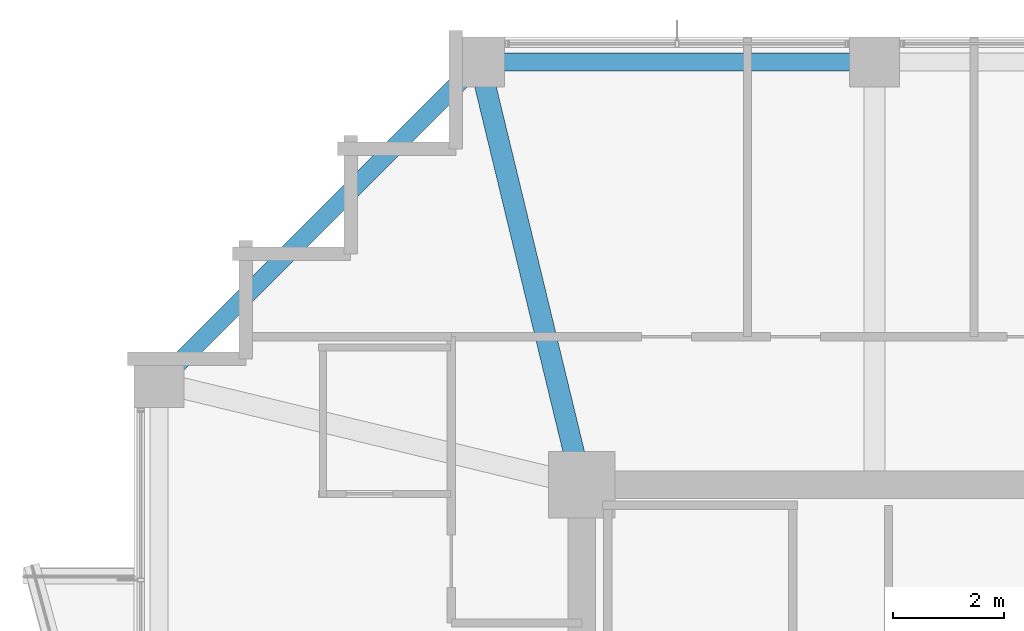
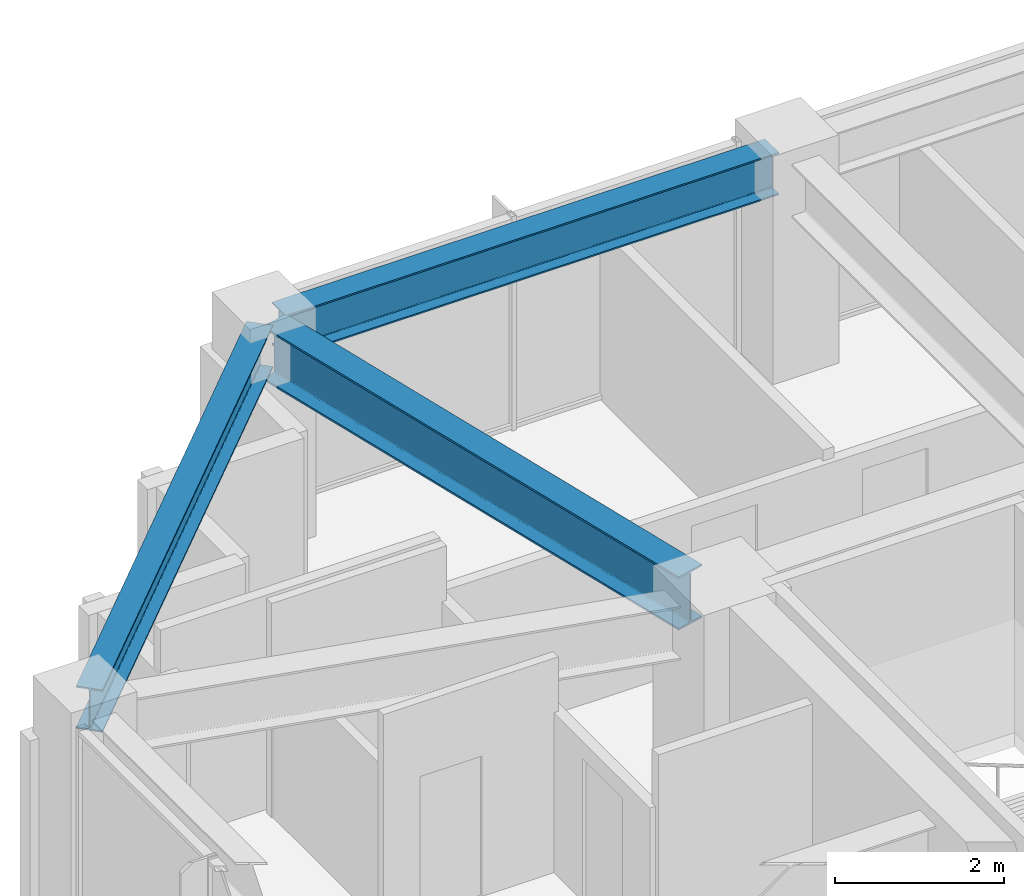
# One storey, part 18 of 33: 3 beams.
"""IFC4 building model written with IfcOpenShell, lengths in metres."""

from ifc_helpers import new_model, si_unit, direction, frame, origin, origin_2d, place, context, subcontext, project, spatial, i_section, extrude, material, material_profile, profile_set, type_object, element, save


model = new_model("IFC4")

# Units and contexts
model_context = context("Model", 3, precision=1e-05, world=origin(), true_north=direction((0.0, 1.0)))
body_context = subcontext(model_context, "Body", "Model", "MODEL_VIEW")
ifc_project = project(units=[si_unit("LENGTHUNIT", "METRE"), si_unit("AREAUNIT", "SQUARE_METRE"), si_unit("VOLUMEUNIT", "CUBIC_METRE"), si_unit("PLANEANGLEUNIT", "RADIAN"), si_unit("MASSUNIT", "GRAM", prefix="KILO")], contexts=[model_context])

# Site, building, storey
site_placement = place(None, origin())
site = spatial("IfcSite", under=ifc_project, at=site_placement, CompositionType="ELEMENT")
building_placement = place(site_placement, origin())
building = spatial("IfcBuilding", under=site, at=building_placement, Name="Kolvaren Belvedere", CompositionType="ELEMENT")
storey_placement = place(building_placement, frame((0.0, 0.0, 128.300048828125)))
storey = spatial("IfcBuildingStorey", under=building, at=storey_placement, Name="L37", CompositionType="ELEMENT", Elevation=128.300048828125)

# Beams
ifc_material_1 = material(Name="Structural steel ASTM A992 Grade 50", Category="steel")
ifc_material_profile_1 = material_profile(ifc_material_1, i_section(OverallWidth=0.381103515625, OverallDepth=0.77294921875, WebThickness=0.0166015625, FlangeThickness=0.027099609375, FilletRadius=0.02392578125, at=origin_2d()), Name="W30X173")
ifc_profile_set_1 = profile_set([ifc_material_profile_1], Name="Structural steel ASTM A992 Grade 50")
beam_type_1 = type_object("IfcBeamType", Name="BM-GIRD-W30X173", PredefinedType="BEAM", material=ifc_profile_set_1)
beam_1_placement = place(storey_placement, frame((-10.029296875, 10.4345703125, 2.71337890625), z_axis=(-0.235062749937, 0.971980197119, 0.0), x_axis=(-0.971980197119, -0.235062749937, 0.0)))
element("IfcBeam", 1, at=beam_1_placement, inside=storey, type_object=beam_type_1, Name="L37 Corner Core-to-Perimeter Girder CC4-N1", PredefinedType="BEAM", context=body_context, shape_type="SweptSolid", body=[
    extrude(i_section(OverallWidth=0.381103515625, OverallDepth=0.77294921875, WebThickness=0.0166015625, FlangeThickness=0.027099609375, FilletRadius=0.02392578125, at=origin_2d()), origin(), (0.0, 0.0, 1.0), 7.140625),
])
ifc_material_2 = material(Name="Structural steel ASTM A992 Grade 50", Category="steel")
ifc_material_profile_2 = material_profile(ifc_material_2, i_section(OverallWidth=0.324951171875, OverallDepth=0.615966796875, WebThickness=0.013916015625, FlangeThickness=0.021484375, FilletRadius=0.02001953125, at=origin_2d()), Name="W24X117")
ifc_profile_set_2 = profile_set([ifc_material_profile_2], Name="Structural steel ASTM A992 Grade 50")
beam_type_2 = type_object("IfcBeamType", Name="BM-SPAN-W24X117", PredefinedType="SPANDREL", material=ifc_profile_set_2)
beam_2_placement = place(storey_placement, frame((-4.802490234375, 17.550048828125, 2.7919921875), z_axis=(-1.0, 0.0, 0.0), x_axis=(0.0, -1.0, 0.0)))
element("IfcBeam", 2, at=beam_2_placement, inside=storey, type_object=beam_type_2, Name="L37 Perimeter Spandrel N2-N1", PredefinedType="SPANDREL", context=body_context, shape_type="SweptSolid", body=[
    extrude(i_section(OverallWidth=0.324951171875, OverallDepth=0.615966796875, WebThickness=0.013916015625, FlangeThickness=0.021484375, FilletRadius=0.02001953125, at=origin_2d()), origin(), (0.0, 0.0, 1.0), 6.7451171875),
])
beam_3_placement = place(storey_placement, frame((-11.893310546875, 17.40673828125, 2.7919921875), z_axis=(-0.707106781187, -0.707106781187, 0.0), x_axis=(0.707106781187, -0.707106781187, 0.0)))
element("IfcBeam", 3, at=beam_3_placement, inside=storey, type_object=beam_type_2, Name="L37 Perimeter Spandrel N1-W4", PredefinedType="SPANDREL", context=body_context, shape_type="SweptSolid", body=[
    extrude(i_section(OverallWidth=0.324951171875, OverallDepth=0.615966796875, WebThickness=0.013916015625, FlangeThickness=0.021484375, FilletRadius=0.02001953125, at=origin_2d()), origin(), (0.0, 0.0, 1.0), 7.797119140625),
])

save(model, "model.ifc")
